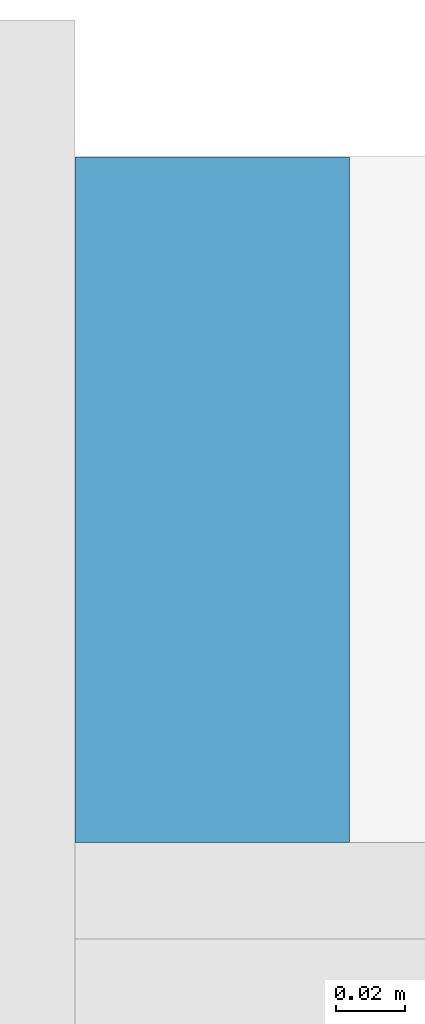
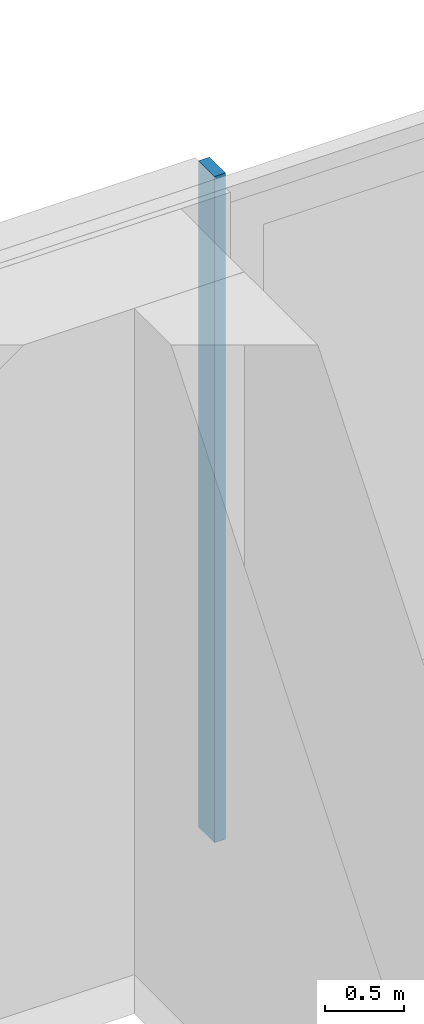
# One storey, part 8 of 29: 1 member, 1 element without a shape of its own.
"""IFC4 building model written with IfcOpenShell, lengths in metres."""

from ifc_helpers import new_model, si_unit, direction, frame, origin, origin_2d, place, context, subcontext, project, spatial, rectangle, extrude, material, material_profile, profile_set, type_object, element, aggregate, save


model = new_model("IFC4")

# Units and contexts
model_context = context("Model", 3, precision=1e-05, world=origin(), true_north=direction((0.0, 1.0)))
body_context = subcontext(model_context, "Body", "Model", "MODEL_VIEW")
ifc_project = project(units=[si_unit("LENGTHUNIT", "METRE"), si_unit("AREAUNIT", "SQUARE_METRE"), si_unit("VOLUMEUNIT", "CUBIC_METRE"), si_unit("PLANEANGLEUNIT", "RADIAN"), si_unit("MASSUNIT", "GRAM", prefix="KILO")], contexts=[model_context])

# Site, building, storey
site_placement = place(None, origin())
site = spatial("IfcSite", under=ifc_project, at=site_placement, CompositionType="ELEMENT")
building_placement = place(site_placement, origin())
building = spatial("IfcBuilding", under=site, at=building_placement, Name="Saffron Gate Tower", CompositionType="ELEMENT")
storey_placement = place(building_placement, frame((0.0, 0.0, 142.050048828125)))
storey = spatial("IfcBuildingStorey", under=building, at=storey_placement, Name="L34", CompositionType="ELEMENT", Elevation=142.050048828125)

# Curtain wall, member
ifc_material = material(Name="Aluminium, bronze anodised", Category="aluminium")
curtain_wall_type = type_object("IfcCurtainWallType", Name="CWS6 curtain wall tall storeys", PredefinedType="NOTDEFINED", material=ifc_material)
curtain_wall_placement = place(storey_placement, origin())
curtain_wall = element("IfcCurtainWall", 1, at=curtain_wall_placement, inside=storey, type_object=curtain_wall_type, Name="CWS6 run 7", PredefinedType="NOTDEFINED")
ifc_material_profile = material_profile(ifc_material, rectangle(XDim=0.199951171875, YDim=0.080078125, at=origin_2d()))
ifc_profile_set = profile_set([ifc_material_profile], Name="Aluminium, bronze anodised")
member_type = type_object("IfcMemberType", Name="CWS6 mullion 80x200", PredefinedType="MULLION", material=ifc_profile_set)
member_placement = place(storey_placement, frame((108.60009765625, 75.5, 0.0), z_axis=(0.0, 0.0, 1.0), x_axis=(0.0, -1.0, 0.0)))
member = element("IfcMember", 2, at=member_placement, type_object=member_type, Name="CWS6 mullion 3", PredefinedType="MULLION", context=body_context, shape_type="SweptSolid", body=[
    extrude(rectangle(XDim=0.199951171875, YDim=0.080078125, at=origin_2d()), origin(), (0.0, 0.0, 1.0), 5.119873046875),
])
aggregate(curtain_wall, [member])

save(model, "model.ifc")
